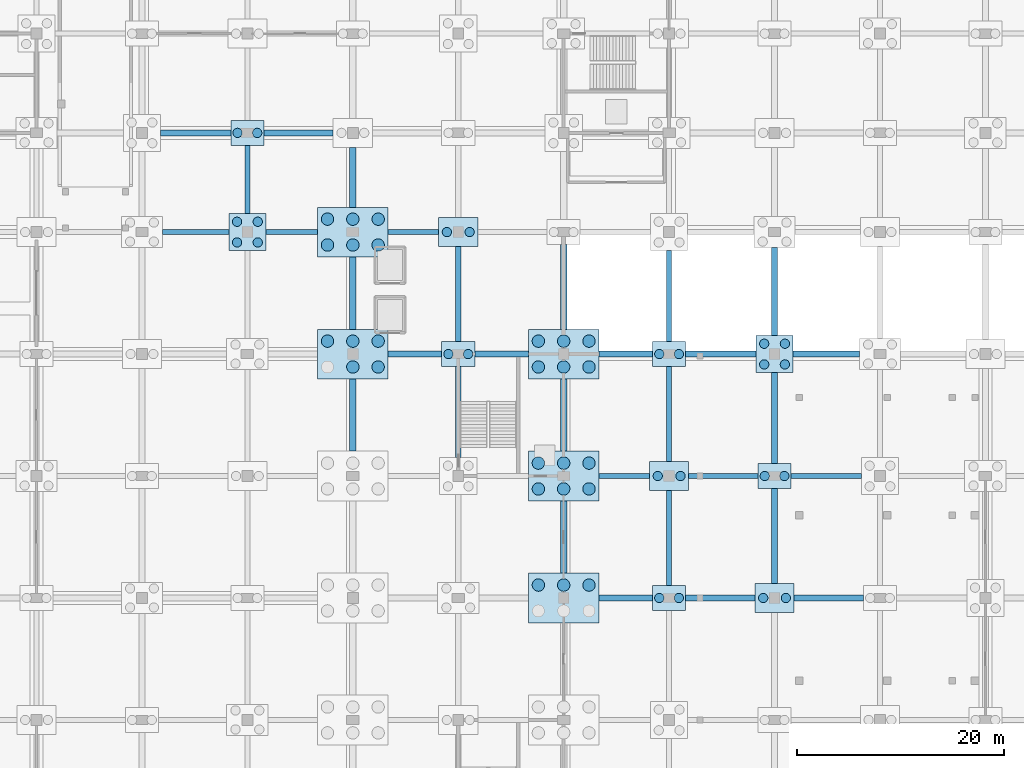
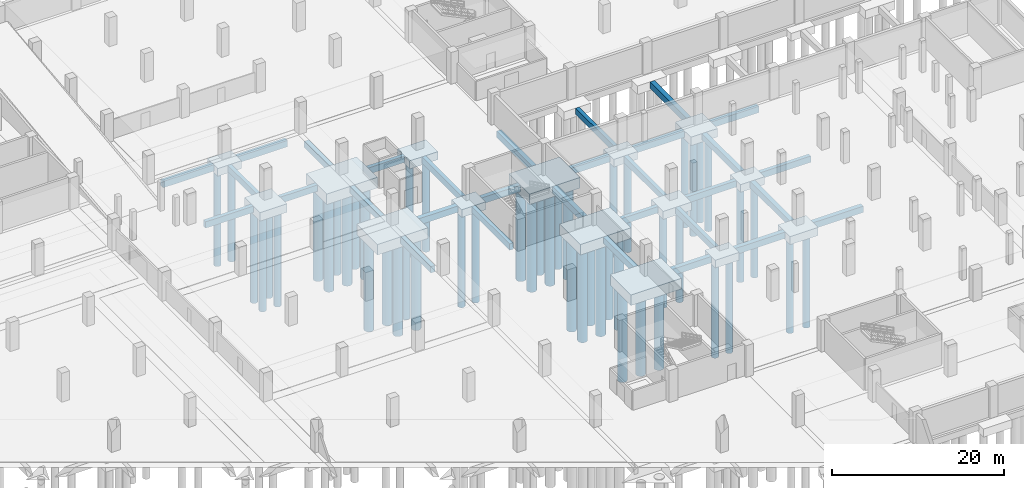
# One storey, part 14 of 52: 50 piles, 46 footings.
"""IFC4 building model written with IfcOpenShell, lengths in metres."""

from ifc_helpers import new_model, si_unit, direction, frame, origin, origin_2d, place, context, subcontext, project, spatial, polyline, rectangle, circle, outline, extrude, material, material_profile, profile_set, type_object, element, save


model = new_model("IFC4")

# Units and contexts
model_context = context("Model", 3, precision=1e-05, world=origin(), true_north=direction((0.0, 1.0)))
body_context = subcontext(model_context, "Body", "Model", "MODEL_VIEW")
ifc_project = project(units=[si_unit("LENGTHUNIT", "METRE"), si_unit("AREAUNIT", "SQUARE_METRE"), si_unit("VOLUMEUNIT", "CUBIC_METRE"), si_unit("PLANEANGLEUNIT", "RADIAN"), si_unit("MASSUNIT", "GRAM", prefix="KILO")], contexts=[model_context])

# Site, building, storey
site_placement = place(None, origin())
site = spatial("IfcSite", under=ifc_project, at=site_placement, CompositionType="ELEMENT")
building_placement = place(site_placement, origin())
building = spatial("IfcBuilding", under=site, at=building_placement, Name="Brelvane Convention Centre", CompositionType="ELEMENT")
storey_placement = place(building_placement, frame((0.0, 0.0, -4.5)))
storey = spatial("IfcBuildingStorey", under=building, at=storey_placement, Name="B1", CompositionType="ELEMENT", Elevation=-4.5)

# Piles
ifc_material_1 = material(Name="Concrete M40", Category="concrete")
ifc_material_profile_1 = material_profile(ifc_material_1, circle(Radius=0.60009765625, at=origin_2d()), Name="PILE D1200")
ifc_profile_set_1 = profile_set([ifc_material_profile_1], Name="Concrete M40")
pile_type_1 = type_object("IfcPileType", Name="Bored Pile PL-1200", PredefinedType="BORED", material=ifc_profile_set_1)
for number, where, z_axis, x_axis, name in (
    (1, (142.800048828125, 86.550048828125, -1.85009765625), (0.0, 0.0, -1.0), (1.0, 0.0, 0.0), "Bored Pile PL-1200 15-J-2"),
    (2, (145.25, 86.550048828125, -1.85009765625), (0.0, 0.0, -1.0), (1.0, 0.0, 0.0), "Bored Pile PL-1200 15-J-3"),
    (3, (140.35009765625, 89.050048828125, -1.85009765625), (0.0, 0.0, -1.0), (1.0, 0.0, 0.0), "Bored Pile PL-1200 15-J-4"),
    (4, (142.800048828125, 89.050048828125, -1.85009765625), (0.0, 0.0, -1.0), (1.0, 0.0, 0.0), "Bored Pile PL-1200 15-J-5"),
    (5, (145.25, 89.050048828125, -1.85009765625), (0.0, 0.0, -1.0), (1.0, 0.0, 0.0), "Bored Pile PL-1200 15-J-6"),
    (6, (140.35009765625, 98.35009765625, -1.85009765625), (0.0, 0.0, -1.0), (1.0, 0.0, 0.0), "Bored Pile PL-1200 15-K-1"),
    (7, (142.800048828125, 98.35009765625, -1.85009765625), (0.0, 0.0, -1.0), (1.0, 0.0, 0.0), "Bored Pile PL-1200 15-K-2"),
    (8, (145.25, 98.35009765625, -1.85009765625), (0.0, 0.0, -1.0), (1.0, 0.0, 0.0), "Bored Pile PL-1200 15-K-3"),
    (9, (140.35009765625, 100.85009765625, -1.85009765625), (0.0, 0.0, -1.0), (1.0, 0.0, 0.0), "Bored Pile PL-1200 15-K-4"),
    (10, (142.800048828125, 100.85009765625, -1.85009765625), (0.0, 0.0, -1.0), (1.0, 0.0, 0.0), "Bored Pile PL-1200 15-K-5"),
    (11, (145.25, 100.85009765625, -1.85009765625), (0.0, 0.0, -1.0), (1.0, 0.0, 0.0), "Bored Pile PL-1200 15-K-6"),
    (12, (160.75, 65.449951171875, -1.85009765625), (0.0, 0.0, -1.0), (1.0, 0.0, 0.0), "Bored Pile PL-1200 17-G-4"),
    (13, (163.199951171875, 65.449951171875, -1.85009765625), (0.0, 0.0, -1.0), (1.0, 0.0, 0.0), "Bored Pile PL-1200 17-G-5"),
    (14, (165.64990234375, 65.449951171875, -1.85009765625), (0.0, 0.0, -1.0), (1.0, 0.0, 0.0), "Bored Pile PL-1200 17-G-6"),
    (15, (160.75, 74.75, -1.85009765625), (0.0, 0.0, -1.0), (1.0, 0.0, 0.0), "Bored Pile PL-1200 17-H-1"),
    (16, (163.199951171875, 74.75, -1.85009765625), (0.0, 0.0, -1.0), (1.0, 0.0, 0.0), "Bored Pile PL-1200 17-H-2"),
    (17, (165.64990234375, 74.75, -1.85009765625), (0.0, 0.0, -1.0), (1.0, 0.0, 0.0), "Bored Pile PL-1200 17-H-3"),
    (18, (160.75, 77.25, -1.85009765625), (0.0, 0.0, -1.0), (1.0, 0.0, 0.0), "Bored Pile PL-1200 17-H-4"),
    (19, (163.199951171875, 77.25, -1.85009765625), (0.0, 0.0, -1.0), (1.0, 0.0, 0.0), "Bored Pile PL-1200 17-H-5"),
    (20, (165.64990234375, 77.25, -1.85009765625), (0.0, 0.0, -1.0), (1.0, 0.0, 0.0), "Bored Pile PL-1200 17-H-6"),
    (21, (160.75, 86.550048828125, -1.85009765625), (0.0, 0.0, -1.0), (1.0, 0.0, 0.0), "Bored Pile PL-1200 17-J-1"),
    (22, (163.199951171875, 86.550048828125, -1.85009765625), (0.0, 0.0, -1.0), (1.0, 0.0, 0.0), "Bored Pile PL-1200 17-J-2"),
    (23, (165.64990234375, 86.550048828125, -1.85009765625), (0.0, 0.0, -1.0), (1.0, 0.0, 0.0), "Bored Pile PL-1200 17-J-3"),
    (24, (160.75, 89.050048828125, -1.85009765625), (0.0, 0.0, -1.0), (1.0, 0.0, 0.0), "Bored Pile PL-1200 17-J-4"),
    (25, (163.199951171875, 89.050048828125, -1.85009765625), (0.0, 0.0, -1.0), (1.0, 0.0, 0.0), "Bored Pile PL-1200 17-J-5"),
    (26, (165.64990234375, 89.050048828125, -1.85009765625), (0.0, 0.0, -1.0), (1.0, 0.0, 0.0), "Bored Pile PL-1200 17-J-6"),
):
    element("IfcPile", number, at=place(storey_placement, frame(where, z_axis=z_axis, x_axis=x_axis)), inside=storey, type_object=pile_type_1, Name=name, PredefinedType="BORED", context=body_context, shape_type="SweptSolid", body=[
        extrude(circle(Radius=0.60009765625, at=origin_2d()), origin(), (0.0, 0.0, 1.0), 13.14990234375),
    ])
ifc_material_2 = material(Name="Concrete M40", Category="concrete")
ifc_material_profile_2 = material_profile(ifc_material_2, circle(Radius=0.449951171875, at=origin_2d()), Name="PILE D900")
ifc_profile_set_2 = profile_set([ifc_material_profile_2], Name="Concrete M40")
pile_type_2 = type_object("IfcPileType", Name="Bored Pile PL-900", PredefinedType="BORED", material=ifc_profile_set_2)
for number, where, z_axis, x_axis, name in (
    (27, (131.60009765625, 98.60009765625, -1.550048828125), (0.0, 0.0, -1.0), (1.0, 0.0, 0.0), "Bored Pile PL-900 14-K-1"),
    (28, (133.60009765625, 98.60009765625, -1.550048828125), (0.0, 0.0, -1.0), (1.0, 0.0, 0.0), "Bored Pile PL-900 14-K-2"),
    (29, (131.60009765625, 100.60009765625, -1.550048828125), (0.0, 0.0, -1.0), (1.0, 0.0, 0.0), "Bored Pile PL-900 14-K-3"),
    (30, (133.60009765625, 100.60009765625, -1.550048828125), (0.0, 0.0, -1.0), (1.0, 0.0, 0.0), "Bored Pile PL-900 14-K-4"),
):
    element("IfcPile", number, at=place(storey_placement, frame(where, z_axis=z_axis, x_axis=x_axis)), inside=storey, type_object=pile_type_2, Name=name, PredefinedType="BORED", context=body_context, shape_type="SweptSolid", body=[
        extrude(circle(Radius=0.449951171875, at=origin_2d()), origin(), (0.0, 0.0, 1.0), 13.449951171875),
    ])
for number, where, z_axis, x_axis, name in (
    (31, (131.64990234375, 109.199951171875, -1.449951171875), (0.0, 0.0, -1.0), (1.0, 0.0, 0.0), "Bored Pile PL-900 14-L-1"),
    (32, (133.550048828125, 109.199951171875, -1.449951171875), (0.0, 0.0, -1.0), (1.0, 0.0, 0.0), "Bored Pile PL-900 14-L-2"),
    (33, (152.050048828125, 87.800048828125, -1.449951171875), (0.0, 0.0, -1.0), (1.0, 0.0, 0.0), "Bored Pile PL-900 16-J-1"),
    (34, (153.949951171875, 87.800048828125, -1.449951171875), (0.0, 0.0, -1.0), (1.0, 0.0, 0.0), "Bored Pile PL-900 16-J-2"),
):
    element("IfcPile", number, at=place(storey_placement, frame(where, z_axis=z_axis, x_axis=x_axis)), inside=storey, type_object=pile_type_2, Name=name, PredefinedType="BORED", context=body_context, shape_type="SweptSolid", body=[
        extrude(circle(Radius=0.449951171875, at=origin_2d()), origin(), (0.0, 0.0, 1.0), 13.550048828125),
    ])
for number, where, z_axis, x_axis, name in (
    (35, (151.89990234375, 99.60009765625, -1.5), (0.0, 0.0, -1.0), (1.0, 0.0, 0.0), "Bored Pile PL-900 16-K-1"),
    (36, (154.10009765625, 99.60009765625, -1.5), (0.0, 0.0, -1.0), (1.0, 0.0, 0.0), "Bored Pile PL-900 16-K-2"),
):
    element("IfcPile", number, at=place(storey_placement, frame(where, z_axis=z_axis, x_axis=x_axis)), inside=storey, type_object=pile_type_2, Name=name, PredefinedType="BORED", context=body_context, shape_type="SweptSolid", body=[
        extrude(circle(Radius=0.449951171875, at=origin_2d()), origin(), (0.0, 0.0, 1.0), 13.5),
    ])
for number, where, z_axis, x_axis, name in (
    (37, (172.449951171875, 64.199951171875, -1.449951171875), (0.0, 0.0, -1.0), (1.0, 0.0, 0.0), "Bored Pile PL-900 18-G-1"),
    (38, (174.35009765625, 64.199951171875, -1.449951171875), (0.0, 0.0, -1.0), (1.0, 0.0, 0.0), "Bored Pile PL-900 18-G-2"),
):
    element("IfcPile", number, at=place(storey_placement, frame(where, z_axis=z_axis, x_axis=x_axis)), inside=storey, type_object=pile_type_2, Name=name, PredefinedType="BORED", context=body_context, shape_type="SweptSolid", body=[
        extrude(circle(Radius=0.449951171875, at=origin_2d()), origin(), (0.0, 0.0, 1.0), 13.550048828125),
    ])
for number, where, z_axis, x_axis, name in (
    (39, (172.300048828125, 76.0, -1.5), (0.0, 0.0, -1.0), (1.0, 0.0, 0.0), "Bored Pile PL-900 18-H-1"),
    (40, (174.5, 76.0, -1.5), (0.0, 0.0, -1.0), (1.0, 0.0, 0.0), "Bored Pile PL-900 18-H-2"),
):
    element("IfcPile", number, at=place(storey_placement, frame(where, z_axis=z_axis, x_axis=x_axis)), inside=storey, type_object=pile_type_2, Name=name, PredefinedType="BORED", context=body_context, shape_type="SweptSolid", body=[
        extrude(circle(Radius=0.449951171875, at=origin_2d()), origin(), (0.0, 0.0, 1.0), 13.5),
    ])
for number, where, z_axis, x_axis, name in (
    (41, (172.449951171875, 87.800048828125, -1.449951171875), (0.0, 0.0, -1.0), (1.0, 0.0, 0.0), "Bored Pile PL-900 18-J-1"),
    (42, (174.35009765625, 87.800048828125, -1.449951171875), (0.0, 0.0, -1.0), (1.0, 0.0, 0.0), "Bored Pile PL-900 18-J-2"),
):
    element("IfcPile", number, at=place(storey_placement, frame(where, z_axis=z_axis, x_axis=x_axis)), inside=storey, type_object=pile_type_2, Name=name, PredefinedType="BORED", context=body_context, shape_type="SweptSolid", body=[
        extrude(circle(Radius=0.449951171875, at=origin_2d()), origin(), (0.0, 0.0, 1.0), 13.550048828125),
    ])
for number, where, z_axis, x_axis, name in (
    (43, (182.5, 64.199951171875, -1.5), (0.0, 0.0, -1.0), (1.0, 0.0, 0.0), "Bored Pile PL-900 19-G-1"),
    (44, (184.699951171875, 64.199951171875, -1.5), (0.0, 0.0, -1.0), (1.0, 0.0, 0.0), "Bored Pile PL-900 19-G-2"),
):
    element("IfcPile", number, at=place(storey_placement, frame(where, z_axis=z_axis, x_axis=x_axis)), inside=storey, type_object=pile_type_2, Name=name, PredefinedType="BORED", context=body_context, shape_type="SweptSolid", body=[
        extrude(circle(Radius=0.449951171875, at=origin_2d()), origin(), (0.0, 0.0, 1.0), 13.5),
    ])
for number, where, z_axis, x_axis, name in (
    (45, (182.64990234375, 76.0, -1.449951171875), (0.0, 0.0, -1.0), (1.0, 0.0, 0.0), "Bored Pile PL-900 19-H-1"),
    (46, (184.550048828125, 76.0, -1.449951171875), (0.0, 0.0, -1.0), (1.0, 0.0, 0.0), "Bored Pile PL-900 19-H-2"),
):
    element("IfcPile", number, at=place(storey_placement, frame(where, z_axis=z_axis, x_axis=x_axis)), inside=storey, type_object=pile_type_2, Name=name, PredefinedType="BORED", context=body_context, shape_type="SweptSolid", body=[
        extrude(circle(Radius=0.449951171875, at=origin_2d()), origin(), (0.0, 0.0, 1.0), 13.550048828125),
    ])
for number, where, z_axis, x_axis, name in (
    (47, (182.60009765625, 86.800048828125, -1.550048828125), (0.0, 0.0, -1.0), (1.0, 0.0, 0.0), "Bored Pile PL-900 19-J-1"),
    (48, (184.60009765625, 86.800048828125, -1.550048828125), (0.0, 0.0, -1.0), (1.0, 0.0, 0.0), "Bored Pile PL-900 19-J-2"),
    (49, (182.60009765625, 88.800048828125, -1.550048828125), (0.0, 0.0, -1.0), (1.0, 0.0, 0.0), "Bored Pile PL-900 19-J-3"),
    (50, (184.60009765625, 88.800048828125, -1.550048828125), (0.0, 0.0, -1.0), (1.0, 0.0, 0.0), "Bored Pile PL-900 19-J-4"),
):
    element("IfcPile", number, at=place(storey_placement, frame(where, z_axis=z_axis, x_axis=x_axis)), inside=storey, type_object=pile_type_2, Name=name, PredefinedType="BORED", context=body_context, shape_type="SweptSolid", body=[
        extrude(circle(Radius=0.449951171875, at=origin_2d()), origin(), (0.0, 0.0, 1.0), 13.449951171875),
    ])

# Footings
ifc_material_3 = material(Name="Concrete M40", Category="concrete")
ifc_material_profile_3 = material_profile(ifc_material_3, rectangle(XDim=0.60009765625, YDim=0.89990234375, at=origin_2d()), Name="RC 600x900")
ifc_profile_set_3 = profile_set([ifc_material_profile_3], Name="Concrete M40")
footing_type_1 = type_object("IfcFootingType", Name="Ground Tie Beam GB-1", PredefinedType="FOOTING_BEAM", material=ifc_profile_set_3)
footing_1_placement = place(storey_placement, frame((124.199951171875, 109.199951171875, -0.89990234375), z_axis=(1.0, 0.0, 0.0), x_axis=(0.0, 1.0, 0.0)))
element("IfcFooting", 51, at=footing_1_placement, inside=storey, type_object=footing_type_1, Name="Ground Tie Beam GB-1 13-14/L", PredefinedType="FOOTING_BEAM", context=body_context, shape_type="SweptSolid", body=[
    extrude(rectangle(XDim=0.60009765625, YDim=0.89990234375, at=origin_2d()), origin(), (0.0, 0.0, 1.0), 6.800048828125),
])
footing_2_placement = place(storey_placement, frame((134.199951171875, 109.199951171875, -0.89990234375), z_axis=(1.0, 0.0, 0.0), x_axis=(0.0, 1.0, 0.0)))
element("IfcFooting", 52, at=footing_2_placement, inside=storey, type_object=footing_type_1, Name="Ground Tie Beam GB-1 14-15/L", PredefinedType="FOOTING_BEAM", context=body_context, shape_type="SweptSolid", body=[
    extrude(rectangle(XDim=0.60009765625, YDim=0.89990234375, at=origin_2d()), origin(), (0.0, 0.0, 1.0), 6.699951171875),
])
footing_3_placement = place(storey_placement, frame((142.800048828125, 78.39990234375, -0.89990234375), z_axis=(0.0, 1.0, 0.0), x_axis=(-1.0, 0.0, 0.0)))
element("IfcFooting", 53, at=footing_3_placement, inside=storey, type_object=footing_type_1, Name="Ground Tie Beam GB-1 15/H-J", PredefinedType="FOOTING_BEAM", context=body_context, shape_type="SweptSolid", body=[
    extrude(rectangle(XDim=0.60009765625, YDim=0.89990234375, at=origin_2d()), origin(), (0.0, 0.0, 1.0), 7.0),
])
footing_4_placement = place(storey_placement, frame((146.199951171875, 87.800048828125, -0.89990234375), z_axis=(1.0, 0.0, 0.0), x_axis=(0.0, 1.0, 0.0)))
element("IfcFooting", 54, at=footing_4_placement, inside=storey, type_object=footing_type_1, Name="Ground Tie Beam GB-1 15-16/J", PredefinedType="FOOTING_BEAM", context=body_context, shape_type="SweptSolid", body=[
    extrude(rectangle(XDim=0.60009765625, YDim=0.89990234375, at=origin_2d()), origin(), (0.0, 0.0, 1.0), 5.199951171875),
])
footing_5_placement = place(storey_placement, frame((142.800048828125, 90.199951171875, -0.89990234375), z_axis=(0.0, 1.0, 0.0), x_axis=(-1.0, 0.0, 0.0)))
element("IfcFooting", 55, at=footing_5_placement, inside=storey, type_object=footing_type_1, Name="Ground Tie Beam GB-1 15/J-K", PredefinedType="FOOTING_BEAM", context=body_context, shape_type="SweptSolid", body=[
    extrude(rectangle(XDim=0.60009765625, YDim=0.89990234375, at=origin_2d()), origin(), (0.0, 0.0, 1.0), 7.0),
])
footing_6_placement = place(storey_placement, frame((142.800048828125, 102.0, -0.89990234375), z_axis=(0.0, 1.0, 0.0), x_axis=(-1.0, 0.0, 0.0)))
element("IfcFooting", 56, at=footing_6_placement, inside=storey, type_object=footing_type_1, Name="Ground Tie Beam GB-1 15/K-L", PredefinedType="FOOTING_BEAM", context=body_context, shape_type="SweptSolid", body=[
    extrude(rectangle(XDim=0.60009765625, YDim=0.89990234375, at=origin_2d()), origin(), (0.0, 0.0, 1.0), 5.800048828125),
])
for number, where, z_axis, x_axis, name in (
    (57, (154.60009765625, 87.800048828125, -0.89990234375), (1.0, 0.0, 0.0), (0.0, 1.0, 0.0), "Ground Tie Beam GB-1 16-17/J"),
    (58, (166.60009765625, 64.199951171875, -0.89990234375), (1.0, 0.0, 0.0), (0.0, 1.0, 0.0), "Ground Tie Beam GB-1 17-18/G"),
):
    element("IfcFooting", number, at=place(storey_placement, frame(where, z_axis=z_axis, x_axis=x_axis)), inside=storey, type_object=footing_type_1, Name=name, PredefinedType="FOOTING_BEAM", context=body_context, shape_type="SweptSolid", body=[
        extrude(rectangle(XDim=0.60009765625, YDim=0.89990234375, at=origin_2d()), origin(), (0.0, 0.0, 1.0), 5.199951171875),
    ])
for number, where, z_axis, x_axis, name in (
    (59, (163.199951171875, 66.60009765625, -0.89990234375), (0.0, 1.0, 0.0), (-1.0, 0.0, 0.0), "Ground Tie Beam GB-1 17/G-H"),
    (60, (163.199951171875, 78.39990234375, -0.89990234375), (0.0, 1.0, 0.0), (-1.0, 0.0, 0.0), "Ground Tie Beam GB-1 17/H-J"),
):
    element("IfcFooting", number, at=place(storey_placement, frame(where, z_axis=z_axis, x_axis=x_axis)), inside=storey, type_object=footing_type_1, Name=name, PredefinedType="FOOTING_BEAM", context=body_context, shape_type="SweptSolid", body=[
        extrude(rectangle(XDim=0.60009765625, YDim=0.89990234375, at=origin_2d()), origin(), (0.0, 0.0, 1.0), 7.0),
    ])
footing_7_placement = place(storey_placement, frame((166.60009765625, 87.800048828125, -0.89990234375), z_axis=(1.0, 0.0, 0.0), x_axis=(0.0, 1.0, 0.0)))
element("IfcFooting", 61, at=footing_7_placement, inside=storey, type_object=footing_type_1, Name="Ground Tie Beam GB-1 17-18/J", PredefinedType="FOOTING_BEAM", context=body_context, shape_type="SweptSolid", body=[
    extrude(rectangle(XDim=0.60009765625, YDim=0.89990234375, at=origin_2d()), origin(), (0.0, 0.0, 1.0), 5.199951171875),
])
footing_8_placement = place(storey_placement, frame((163.199951171875, 90.199951171875, -0.89990234375), z_axis=(0.0, 1.0, 0.0), x_axis=(-1.0, 0.0, 0.0)))
element("IfcFooting", 62, at=footing_8_placement, inside=storey, type_object=footing_type_1, Name="Ground Tie Beam GB-1 17/J-K", PredefinedType="FOOTING_BEAM", context=body_context, shape_type="SweptSolid", body=[
    extrude(rectangle(XDim=0.60009765625, YDim=0.89990234375, at=origin_2d()), origin(), (0.0, 0.0, 1.0), 8.199951171875),
])
footing_9_placement = place(storey_placement, frame((175.0, 64.199951171875, -0.89990234375), z_axis=(1.0, 0.0, 0.0), x_axis=(0.0, 1.0, 0.0)))
element("IfcFooting", 63, at=footing_9_placement, inside=storey, type_object=footing_type_1, Name="Ground Tie Beam GB-1 18-19/G", PredefinedType="FOOTING_BEAM", context=body_context, shape_type="SweptSolid", body=[
    extrude(rectangle(XDim=0.60009765625, YDim=0.89990234375, at=origin_2d()), origin(), (0.0, 0.0, 1.0), 6.699951171875),
])
footing_10_placement = place(storey_placement, frame((175.0, 87.800048828125, -0.89990234375), z_axis=(1.0, 0.0, 0.0), x_axis=(0.0, 1.0, 0.0)))
element("IfcFooting", 64, at=footing_10_placement, inside=storey, type_object=footing_type_1, Name="Ground Tie Beam GB-1 18-19/J", PredefinedType="FOOTING_BEAM", context=body_context, shape_type="SweptSolid", body=[
    extrude(rectangle(XDim=0.60009765625, YDim=0.89990234375, at=origin_2d()), origin(), (0.0, 0.0, 1.0), 6.800048828125),
])
footing_11_placement = place(storey_placement, frame((185.5, 64.199951171875, -0.89990234375), z_axis=(1.0, 0.0, 0.0), x_axis=(0.0, 1.0, 0.0)))
element("IfcFooting", 65, at=footing_11_placement, inside=storey, type_object=footing_type_1, Name="Ground Tie Beam GB-1 19-20/G", PredefinedType="FOOTING_BEAM", context=body_context, shape_type="SweptSolid", body=[
    extrude(rectangle(XDim=0.60009765625, YDim=0.89990234375, at=origin_2d()), origin(), (0.0, 0.0, 1.0), 6.699951171875),
])
footing_12_placement = place(storey_placement, frame((183.60009765625, 65.60009765625, -0.89990234375), z_axis=(0.0, 1.0, 0.0), x_axis=(-1.0, 0.0, 0.0)))
element("IfcFooting", 66, at=footing_12_placement, inside=storey, type_object=footing_type_1, Name="Ground Tie Beam GB-1 19/G-H", PredefinedType="FOOTING_BEAM", context=body_context, shape_type="SweptSolid", body=[
    extrude(rectangle(XDim=0.60009765625, YDim=0.89990234375, at=origin_2d()), origin(), (0.0, 0.0, 1.0), 9.199951171875),
])
footing_13_placement = place(storey_placement, frame((183.60009765625, 77.199951171875, -0.89990234375), z_axis=(0.0, 1.0, 0.0), x_axis=(-1.0, 0.0, 0.0)))
element("IfcFooting", 67, at=footing_13_placement, inside=storey, type_object=footing_type_1, Name="Ground Tie Beam GB-1 19/H-J", PredefinedType="FOOTING_BEAM", context=body_context, shape_type="SweptSolid", body=[
    extrude(rectangle(XDim=0.60009765625, YDim=0.89990234375, at=origin_2d()), origin(), (0.0, 0.0, 1.0), 8.800048828125),
])
footing_14_placement = place(storey_placement, frame((185.39990234375, 87.800048828125, -0.89990234375), z_axis=(1.0, 0.0, 0.0), x_axis=(0.0, 1.0, 0.0)))
element("IfcFooting", 68, at=footing_14_placement, inside=storey, type_object=footing_type_1, Name="Ground Tie Beam GB-1 19-20/J", PredefinedType="FOOTING_BEAM", context=body_context, shape_type="SweptSolid", body=[
    extrude(rectangle(XDim=0.60009765625, YDim=0.89990234375, at=origin_2d()), origin(), (0.0, 0.0, 1.0), 6.400146484375),
])
footing_15_placement = place(storey_placement, frame((183.60009765625, 89.60009765625, -0.89990234375), z_axis=(0.0, 1.0, 0.0), x_axis=(-1.0, 0.0, 0.0)))
element("IfcFooting", 69, at=footing_15_placement, inside=storey, type_object=footing_type_1, Name="Ground Tie Beam GB-1 19/J-K", PredefinedType="FOOTING_BEAM", context=body_context, shape_type="SweptSolid", body=[
    extrude(rectangle(XDim=0.60009765625, YDim=0.89990234375, at=origin_2d()), origin(), (0.0, 0.0, 1.0), 8.5),
])
ifc_material_4 = material(Name="Concrete M40", Category="concrete")
ifc_material_profile_4 = material_profile(ifc_material_4, rectangle(XDim=0.5, YDim=0.89990234375, at=origin_2d()), Name="RC 500x900")
ifc_profile_set_4 = profile_set([ifc_material_profile_4], Name="Concrete M40")
footing_type_2 = type_object("IfcFootingType", Name="Ground Tie Beam GB-2", PredefinedType="FOOTING_BEAM", material=ifc_profile_set_4)
footing_16_placement = place(storey_placement, frame((124.39990234375, 99.60009765625, -0.89990234375), z_axis=(1.0, 0.0, 0.0), x_axis=(0.0, 1.0, 0.0)))
element("IfcFooting", 70, at=footing_16_placement, inside=storey, type_object=footing_type_2, Name="Ground Tie Beam GB-2 13-14/K", PredefinedType="FOOTING_BEAM", context=body_context, shape_type="SweptSolid", body=[
    extrude(rectangle(XDim=0.5, YDim=0.89990234375, at=origin_2d()), origin(), (0.0, 0.0, 1.0), 6.400146484375),
])
footing_17_placement = place(storey_placement, frame((134.39990234375, 99.60009765625, -0.89990234375), z_axis=(1.0, 0.0, 0.0), x_axis=(0.0, 1.0, 0.0)))
element("IfcFooting", 71, at=footing_17_placement, inside=storey, type_object=footing_type_2, Name="Ground Tie Beam GB-2 14-15/K", PredefinedType="FOOTING_BEAM", context=body_context, shape_type="SweptSolid", body=[
    extrude(rectangle(XDim=0.5, YDim=0.89990234375, at=origin_2d()), origin(), (0.0, 0.0, 1.0), 5.0),
])
footing_18_placement = place(storey_placement, frame((132.60009765625, 101.39990234375, -0.89990234375), z_axis=(0.0, 1.0, 0.0), x_axis=(-1.0, 0.0, 0.0)))
element("IfcFooting", 72, at=footing_18_placement, inside=storey, type_object=footing_type_2, Name="Ground Tie Beam GB-2 14/K-L", PredefinedType="FOOTING_BEAM", context=body_context, shape_type="SweptSolid", body=[
    extrude(rectangle(XDim=0.5, YDim=0.89990234375, at=origin_2d()), origin(), (0.0, 0.0, 1.0), 6.60009765625),
])
footing_19_placement = place(storey_placement, frame((146.199951171875, 99.60009765625, -0.89990234375), z_axis=(1.0, 0.0, 0.0), x_axis=(0.0, 1.0, 0.0)))
element("IfcFooting", 73, at=footing_19_placement, inside=storey, type_object=footing_type_2, Name="Ground Tie Beam GB-2 15-16/K", PredefinedType="FOOTING_BEAM", context=body_context, shape_type="SweptSolid", body=[
    extrude(rectangle(XDim=0.5, YDim=0.89990234375, at=origin_2d()), origin(), (0.0, 0.0, 1.0), 4.900146484375),
])
footing_20_placement = place(storey_placement, frame((153.0, 77.800048828125, -0.89990234375), z_axis=(0.0, 1.0, 0.0), x_axis=(-1.0, 0.0, 0.0)))
element("IfcFooting", 74, at=footing_20_placement, inside=storey, type_object=footing_type_2, Name="Ground Tie Beam GB-2 16/H-J", PredefinedType="FOOTING_BEAM", context=body_context, shape_type="SweptSolid", body=[
    extrude(rectangle(XDim=0.5, YDim=0.89990234375, at=origin_2d()), origin(), (0.0, 0.0, 1.0), 8.800048828125),
])
footing_21_placement = place(storey_placement, frame((153.0, 89.0, -0.89990234375), z_axis=(0.0, 1.0, 0.0), x_axis=(-1.0, 0.0, 0.0)))
element("IfcFooting", 75, at=footing_21_placement, inside=storey, type_object=footing_type_2, Name="Ground Tie Beam GB-2 16/J-K", PredefinedType="FOOTING_BEAM", context=body_context, shape_type="SweptSolid", body=[
    extrude(rectangle(XDim=0.5, YDim=0.89990234375, at=origin_2d()), origin(), (0.0, 0.0, 1.0), 9.199951171875),
])
footing_22_placement = place(storey_placement, frame((166.60009765625, 76.0, -0.89990234375), z_axis=(1.0, 0.0, 0.0), x_axis=(0.0, 1.0, 0.0)))
element("IfcFooting", 76, at=footing_22_placement, inside=storey, type_object=footing_type_2, Name="Ground Tie Beam GB-2 17-18/H", PredefinedType="FOOTING_BEAM", context=body_context, shape_type="SweptSolid", body=[
    extrude(rectangle(XDim=0.5, YDim=0.89990234375, at=origin_2d()), origin(), (0.0, 0.0, 1.0), 4.89990234375),
])
footing_23_placement = place(storey_placement, frame((173.39990234375, 65.39990234375, -0.89990234375), z_axis=(0.0, 1.0, 0.0), x_axis=(-1.0, 0.0, 0.0)))
element("IfcFooting", 77, at=footing_23_placement, inside=storey, type_object=footing_type_2, Name="Ground Tie Beam GB-2 18/G-H", PredefinedType="FOOTING_BEAM", context=body_context, shape_type="SweptSolid", body=[
    extrude(rectangle(XDim=0.5, YDim=0.89990234375, at=origin_2d()), origin(), (0.0, 0.0, 1.0), 9.2001953125),
])
footing_24_placement = place(storey_placement, frame((175.300048828125, 76.0, -0.89990234375), z_axis=(1.0, 0.0, 0.0), x_axis=(0.0, 1.0, 0.0)))
element("IfcFooting", 78, at=footing_24_placement, inside=storey, type_object=footing_type_2, Name="Ground Tie Beam GB-2 18-19/H", PredefinedType="FOOTING_BEAM", context=body_context, shape_type="SweptSolid", body=[
    extrude(rectangle(XDim=0.5, YDim=0.89990234375, at=origin_2d()), origin(), (0.0, 0.0, 1.0), 6.699951171875),
])
footing_25_placement = place(storey_placement, frame((173.39990234375, 77.39990234375, -0.89990234375), z_axis=(0.0, 1.0, 0.0), x_axis=(-1.0, 0.0, 0.0)))
element("IfcFooting", 79, at=footing_25_placement, inside=storey, type_object=footing_type_2, Name="Ground Tie Beam GB-2 18/H-J", PredefinedType="FOOTING_BEAM", context=body_context, shape_type="SweptSolid", body=[
    extrude(rectangle(XDim=0.5, YDim=0.89990234375, at=origin_2d()), origin(), (0.0, 0.0, 1.0), 9.2001953125),
])
footing_26_placement = place(storey_placement, frame((173.39990234375, 89.0, -0.89990234375), z_axis=(0.0, 1.0, 0.0), x_axis=(-1.0, 0.0, 0.0)))
element("IfcFooting", 80, at=footing_26_placement, inside=storey, type_object=footing_type_2, Name="Ground Tie Beam GB-2 18/J-K", PredefinedType="FOOTING_BEAM", context=body_context, shape_type="SweptSolid", body=[
    extrude(rectangle(XDim=0.5, YDim=0.89990234375, at=origin_2d()), origin(), (0.0, 0.0, 1.0), 8.800048828125),
])
footing_27_placement = place(storey_placement, frame((185.199951171875, 76.0, -0.89990234375), z_axis=(1.0, 0.0, 0.0), x_axis=(0.0, 1.0, 0.0)))
element("IfcFooting", 81, at=footing_27_placement, inside=storey, type_object=footing_type_2, Name="Ground Tie Beam GB-2 19-20/H", PredefinedType="FOOTING_BEAM", context=body_context, shape_type="SweptSolid", body=[
    extrude(rectangle(XDim=0.5, YDim=0.89990234375, at=origin_2d()), origin(), (0.0, 0.0, 1.0), 6.800048828125),
])
ifc_material_5 = material(Name="Concrete M40", Category="concrete")
footing_type_3 = type_object("IfcFootingType", Name="Pile Cap PC-2", PredefinedType="PILE_CAP", material=ifc_material_5)
footing_28_placement = place(storey_placement, frame((0.0, 0.0, -1.550048828125)))
element("IfcFooting", 82, at=footing_28_placement, inside=storey, type_object=footing_type_3, Name="Pile Cap PC-2 at 14-L", PredefinedType="PILE_CAP", context=body_context, shape_type="SweptSolid", body=[
    extrude(outline(polyline([(131.0, 108.0), (134.199951171875, 108.0), (134.199951171875, 110.39990234375), (131.0, 110.39990234375), (131.0, 108.0)])), origin(), (0.0, 0.0, 1.0), 1.10009765625),
])
footing_29_placement = place(storey_placement, frame((0.0, 0.0, -1.550048828125)))
element("IfcFooting", 83, at=footing_29_placement, inside=storey, type_object=footing_type_3, Name="Pile Cap PC-2 at 16-J", PredefinedType="PILE_CAP", context=body_context, shape_type="SweptSolid", body=[
    extrude(outline(polyline([(151.39990234375, 86.60009765625), (154.60009765625, 86.60009765625), (154.60009765625, 89.0), (151.39990234375, 89.0), (151.39990234375, 86.60009765625)])), origin(), (0.0, 0.0, 1.0), 1.10009765625),
])
footing_30_placement = place(storey_placement, frame((0.0, 0.0, -1.550048828125)))
element("IfcFooting", 84, at=footing_30_placement, inside=storey, type_object=footing_type_3, Name="Pile Cap PC-2 at 18-G", PredefinedType="PILE_CAP", context=body_context, shape_type="SweptSolid", body=[
    extrude(outline(polyline([(171.800048828125, 63.0), (175.0, 63.0), (175.0, 65.39990234375), (171.800048828125, 65.39990234375), (171.800048828125, 63.0)])), origin(), (0.0, 0.0, 1.0), 1.10009765625),
])
footing_31_placement = place(storey_placement, frame((0.0, 0.0, -1.550048828125)))
element("IfcFooting", 85, at=footing_31_placement, inside=storey, type_object=footing_type_3, Name="Pile Cap PC-2 at 18-J", PredefinedType="PILE_CAP", context=body_context, shape_type="SweptSolid", body=[
    extrude(outline(polyline([(171.800048828125, 86.60009765625), (175.0, 86.60009765625), (175.0, 89.0), (171.800048828125, 89.0), (171.800048828125, 86.60009765625)])), origin(), (0.0, 0.0, 1.0), 1.10009765625),
])
footing_32_placement = place(storey_placement, frame((0.0, 0.0, -1.550048828125)))
element("IfcFooting", 86, at=footing_32_placement, inside=storey, type_object=footing_type_3, Name="Pile Cap PC-2 at 19-H", PredefinedType="PILE_CAP", context=body_context, shape_type="SweptSolid", body=[
    extrude(outline(polyline([(182.0, 74.800048828125), (185.199951171875, 74.800048828125), (185.199951171875, 77.199951171875), (182.0, 77.199951171875), (182.0, 74.800048828125)])), origin(), (0.0, 0.0, 1.0), 1.10009765625),
])
ifc_material_6 = material(Name="Concrete M40", Category="concrete")
footing_type_4 = type_object("IfcFootingType", Name="Pile Cap PC-3", PredefinedType="PILE_CAP", material=ifc_material_6)
footing_33_placement = place(storey_placement, frame((0.0, 0.0, -1.64990234375)))
element("IfcFooting", 87, at=footing_33_placement, inside=storey, type_object=footing_type_4, Name="Pile Cap PC-3 at 14-K", PredefinedType="PILE_CAP", context=body_context, shape_type="SweptSolid", body=[
    extrude(outline(polyline([(130.800048828125, 97.800048828125), (134.39990234375, 97.800048828125), (134.39990234375, 101.39990234375), (130.800048828125, 101.39990234375), (130.800048828125, 97.800048828125)])), origin(), (0.0, 0.0, 1.0), 1.199951171875),
])
footing_34_placement = place(storey_placement, frame((0.0, 0.0, -1.64990234375)))
element("IfcFooting", 88, at=footing_34_placement, inside=storey, type_object=footing_type_4, Name="Pile Cap PC-3 at 19-J", PredefinedType="PILE_CAP", context=body_context, shape_type="SweptSolid", body=[
    extrude(outline(polyline([(181.800048828125, 86.0), (185.39990234375, 86.0), (185.39990234375, 89.60009765625), (181.800048828125, 89.60009765625), (181.800048828125, 86.0)])), origin(), (0.0, 0.0, 1.0), 1.199951171875),
])
ifc_material_7 = material(Name="Concrete M40", Category="concrete")
footing_type_5 = type_object("IfcFootingType", Name="Pile Cap PC-8", PredefinedType="PILE_CAP", material=ifc_material_7)
footing_35_placement = place(storey_placement, frame((0.0, 0.0, -1.949951171875)))
element("IfcFooting", 89, at=footing_35_placement, inside=storey, type_object=footing_type_5, Name="Pile Cap PC-8 at 15-J", PredefinedType="PILE_CAP", context=body_context, shape_type="SweptSolid", body=[
    extrude(outline(polyline([(139.39990234375, 85.39990234375), (146.199951171875, 85.39990234375), (146.199951171875, 90.199951171875), (139.39990234375, 90.199951171875), (139.39990234375, 85.39990234375)])), origin(), (0.0, 0.0, 1.0), 1.5),
])
footing_36_placement = place(storey_placement, frame((0.0, 0.0, -1.949951171875)))
element("IfcFooting", 90, at=footing_36_placement, inside=storey, type_object=footing_type_5, Name="Pile Cap PC-8 at 15-K", PredefinedType="PILE_CAP", context=body_context, shape_type="SweptSolid", body=[
    extrude(outline(polyline([(139.39990234375, 97.199951171875), (146.199951171875, 97.199951171875), (146.199951171875, 102.0), (139.39990234375, 102.0), (139.39990234375, 97.199951171875)])), origin(), (0.0, 0.0, 1.0), 1.5),
])
footing_37_placement = place(storey_placement, frame((0.0, 0.0, -1.949951171875)))
element("IfcFooting", 91, at=footing_37_placement, inside=storey, type_object=footing_type_5, Name="Pile Cap PC-8 at 17-G", PredefinedType="PILE_CAP", context=body_context, shape_type="SweptSolid", body=[
    extrude(outline(polyline([(159.800048828125, 61.800048828125), (166.60009765625, 61.800048828125), (166.60009765625, 66.60009765625), (159.800048828125, 66.60009765625), (159.800048828125, 61.800048828125)])), origin(), (0.0, 0.0, 1.0), 1.5),
])
footing_38_placement = place(storey_placement, frame((0.0, 0.0, -1.949951171875)))
element("IfcFooting", 92, at=footing_38_placement, inside=storey, type_object=footing_type_5, Name="Pile Cap PC-8 at 17-H", PredefinedType="PILE_CAP", context=body_context, shape_type="SweptSolid", body=[
    extrude(outline(polyline([(159.800048828125, 73.60009765625), (166.60009765625, 73.60009765625), (166.60009765625, 78.39990234375), (159.800048828125, 78.39990234375), (159.800048828125, 73.60009765625)])), origin(), (0.0, 0.0, 1.0), 1.5),
])
footing_39_placement = place(storey_placement, frame((0.0, 0.0, -1.949951171875)))
element("IfcFooting", 93, at=footing_39_placement, inside=storey, type_object=footing_type_5, Name="Pile Cap PC-8 at 17-J", PredefinedType="PILE_CAP", context=body_context, shape_type="SweptSolid", body=[
    extrude(outline(polyline([(159.800048828125, 85.39990234375), (166.60009765625, 85.39990234375), (166.60009765625, 90.199951171875), (159.800048828125, 90.199951171875), (159.800048828125, 85.39990234375)])), origin(), (0.0, 0.0, 1.0), 1.5),
])
ifc_material_8 = material(Name="Concrete M40", Category="concrete")
footing_type_6 = type_object("IfcFootingType", Name="Pile Cap PC-9", PredefinedType="PILE_CAP", material=ifc_material_8)
footing_40_placement = place(storey_placement, frame((0.0, 0.0, -1.60009765625)))
element("IfcFooting", 94, at=footing_40_placement, inside=storey, type_object=footing_type_6, Name="Pile Cap PC-9 at 16-K", PredefinedType="PILE_CAP", context=body_context, shape_type="SweptSolid", body=[
    extrude(outline(polyline([(151.10009765625, 98.199951171875), (154.89990234375, 98.199951171875), (154.89990234375, 101.0), (151.10009765625, 101.0), (151.10009765625, 98.199951171875)])), origin(), (0.0, 0.0, 1.0), 1.150146484375),
])
footing_41_placement = place(storey_placement, frame((0.0, 0.0, -1.60009765625)))
element("IfcFooting", 95, at=footing_41_placement, inside=storey, type_object=footing_type_6, Name="Pile Cap PC-9 at 18-H", PredefinedType="PILE_CAP", context=body_context, shape_type="SweptSolid", body=[
    extrude(outline(polyline([(171.5, 74.60009765625), (175.300048828125, 74.60009765625), (175.300048828125, 77.39990234375), (171.5, 77.39990234375), (171.5, 74.60009765625)])), origin(), (0.0, 0.0, 1.0), 1.150146484375),
])
footing_42_placement = place(storey_placement, frame((0.0, 0.0, -1.60009765625)))
element("IfcFooting", 96, at=footing_42_placement, inside=storey, type_object=footing_type_6, Name="Pile Cap PC-9 at 19-G", PredefinedType="PILE_CAP", context=body_context, shape_type="SweptSolid", body=[
    extrude(outline(polyline([(181.699951171875, 62.800048828125), (185.5, 62.800048828125), (185.5, 65.60009765625), (181.699951171875, 65.60009765625), (181.699951171875, 62.800048828125)])), origin(), (0.0, 0.0, 1.0), 1.150146484375),
])

save(model, "model.ifc")
